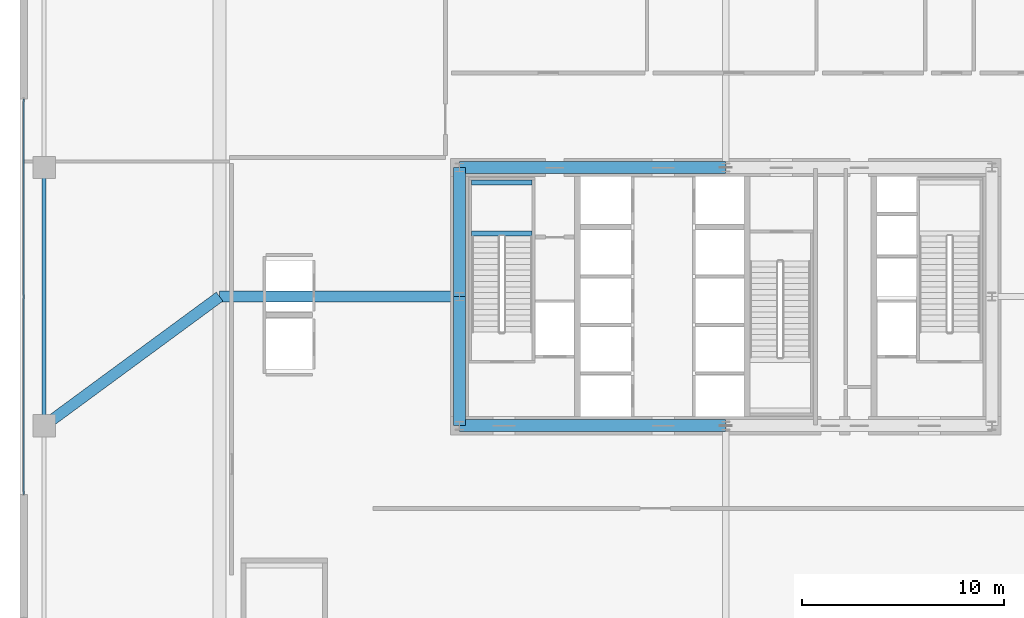
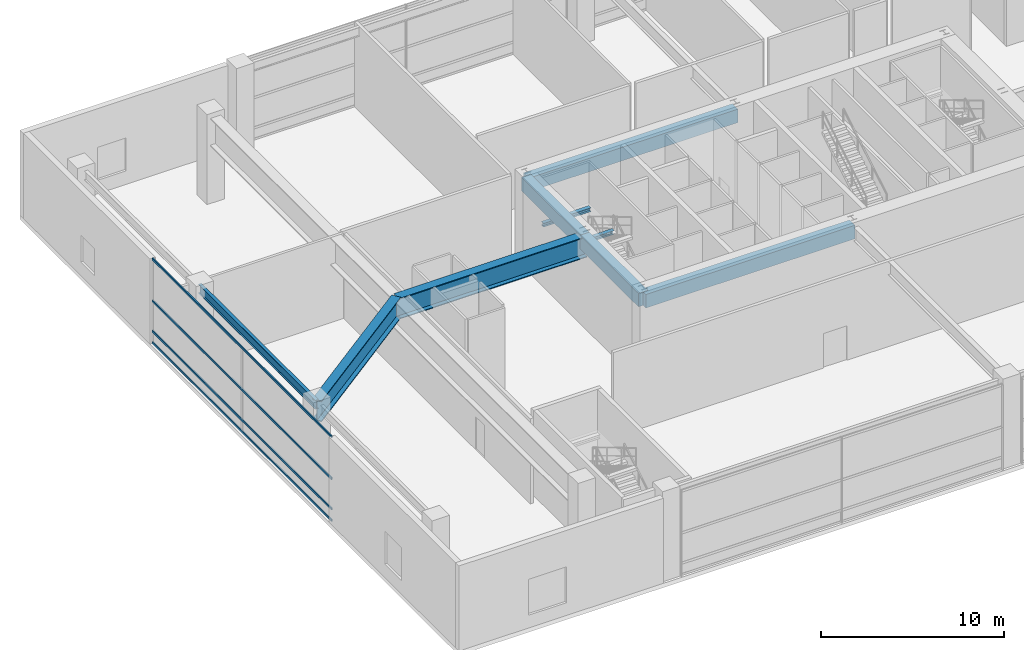
# One storey, part 10 of 39: 9 beams, 4 members, 1 element without a shape of its own.
"""IFC4 building model written with IfcOpenShell, lengths in metres."""

from ifc_helpers import new_model, si_unit, direction, frame, origin, origin_2d, place, context, subcontext, project, spatial, rectangle, hollow_rectangle, i_section, extrude, source, transform, mapped, material, layer, layer_set, material_profile, profile_set, type_object, element, aggregate, save


model = new_model("IFC4")

# Units and contexts
model_context = context("Model", 3, precision=1e-05, world=origin(), true_north=direction((0.0, 1.0)))
body_context = subcontext(model_context, "Body", "Model", "MODEL_VIEW")
ifc_project = project(units=[si_unit("LENGTHUNIT", "METRE"), si_unit("AREAUNIT", "SQUARE_METRE"), si_unit("VOLUMEUNIT", "CUBIC_METRE"), si_unit("PLANEANGLEUNIT", "RADIAN"), si_unit("MASSUNIT", "GRAM", prefix="KILO"), si_unit("THERMODYNAMICTEMPERATUREUNIT", "KELVIN"), si_unit("POWERUNIT", "WATT")], contexts=[model_context])

# Site, building, storey
site_placement = place(None, origin())
site = spatial("IfcSite", under=ifc_project, at=site_placement, CompositionType="ELEMENT")
building_placement = place(site_placement, origin())
building = spatial("IfcBuilding", under=site, at=building_placement, Name="Yuzanri Waterfront Tower", CompositionType="ELEMENT")
storey_placement = place(building_placement, frame((0.0, 0.0, 19.800048828125)))
storey = spatial("IfcBuildingStorey", under=building, at=storey_placement, Name="L05", CompositionType="ELEMENT", Elevation=19.800048828125)

# Beams
ifc_material_1 = material(Name="Concrete C60", Category="concrete")
ifc_material_profile_1 = material_profile(ifc_material_1, rectangle(XDim=0.60009765625, YDim=0.89990234375, at=origin_2d()), Name="RC 600x900")
ifc_profile_set_1 = profile_set([ifc_material_profile_1], Name="Concrete C60")
beam_type_1 = type_object("IfcBeamType", Name="Core Coupling Lintel Concrete C60 600x900", PredefinedType="LINTEL", material=ifc_profile_set_1)
shared_shape_1 = source(origin(), body_context, "Body", "SweptSolid", [
    extrude(rectangle(XDim=0.60009765625, YDim=0.89990234375, at=origin_2d()), origin(), (0.0, 0.0, 1.0), 13.199951171875),
])
for number, where, z_axis, x_axis, name in (
    (1, (23.800048828125, 19.39990234375, 5.22998046875), (1.0, 0.0, 0.0), (0.0, 1.0, 0.0), "L05 Core Tie Beam CS1"),
    (2, (23.800048828125, 32.199951171875, 5.22998046875), (1.0, 0.0, 0.0), (0.0, 1.0, 0.0), "L05 Core Tie Beam CN1"),
):
    element("IfcBeam", number, at=place(storey_placement, frame(where, z_axis=z_axis, x_axis=x_axis)), inside=storey, type_object=beam_type_1, Name=name, PredefinedType="LINTEL", context=body_context, shape_type="MappedRepresentation", body=[
        mapped(shared_shape_1, transform((0.0, 0.0, 0.0), scale=1.0)),
    ])
shared_shape_2 = source(origin(), body_context, "Body", "SweptSolid", [
    extrude(rectangle(XDim=0.60009765625, YDim=0.89990234375, at=origin_2d()), origin(), (0.0, 0.0, 1.0), 6.400146484375),
])
beam_1_placement = place(storey_placement, frame((23.800048828125, 19.39990234375, 5.22998046875), z_axis=(0.0, 1.0, 0.0), x_axis=(-1.0, 0.0, 0.0)))
element("IfcBeam", 3, at=beam_1_placement, inside=storey, type_object=beam_type_1, Name="L05 Core Tie Beam CW1", PredefinedType="LINTEL", context=body_context, shape_type="MappedRepresentation", body=[
    mapped(shared_shape_2, transform((0.0, 0.0, 0.0), scale=1.0)),
])
shared_shape_3 = source(origin(), body_context, "Body", "SweptSolid", [
    extrude(rectangle(XDim=0.60009765625, YDim=0.89990234375, at=origin_2d()), origin(), (0.0, 0.0, 1.0), 6.39990234375),
])
beam_2_placement = place(storey_placement, frame((23.800048828125, 25.800048828125, 5.22998046875), z_axis=(0.0, 1.0, 0.0), x_axis=(-1.0, 0.0, 0.0)))
element("IfcBeam", 4, at=beam_2_placement, inside=storey, type_object=beam_type_1, Name="L05 Core Tie Beam CW2", PredefinedType="LINTEL", context=body_context, shape_type="MappedRepresentation", body=[
    mapped(shared_shape_3, transform((0.0, 0.0, 0.0), scale=1.0)),
])
ifc_material_2 = material(Name="Steel Q355B", Category="steel")
ifc_material_profile_2 = material_profile(ifc_material_2, i_section(OverallWidth=0.199951171875, OverallDepth=0.60009765625, WebThickness=0.010986328125, FlangeThickness=0.01708984375, at=origin_2d()), Name="HN 600x200x11x17")
ifc_profile_set_2 = profile_set([ifc_material_profile_2], Name="Steel Q355B")
beam_type_2 = type_object("IfcBeamType", Name="Perimeter Spandrel Q355B HN 600x200", PredefinedType="SPANDREL", material=ifc_profile_set_2)
shared_shape_4 = source(origin(), body_context, "Body", "SweptSolid", [
    extrude(i_section(OverallWidth=0.199951171875, OverallDepth=0.60009765625, WebThickness=0.010986328125, FlangeThickness=0.01708984375, at=origin_2d()), origin(), (0.0, 0.0, 1.0), 12.800048828125),
])
beam_3_placement = place(storey_placement, frame((3.199951171875, 19.39990234375, 5.3798828125), z_axis=(0.0, 1.0, 0.0), x_axis=(-1.0, 0.0, 0.0)))
element("IfcBeam", 5, at=beam_3_placement, inside=storey, type_object=beam_type_2, Name="L05 West Podium Spandrel 2", PredefinedType="SPANDREL", context=body_context, shape_type="MappedRepresentation", body=[
    mapped(shared_shape_4, transform((0.0, 0.0, 0.0), scale=1.0)),
])
ifc_material_3 = material(Name="Steel Q420GJC", Category="steel")
ifc_material_profile_3 = material_profile(ifc_material_3, i_section(OverallWidth=0.550048828125, OverallDepth=1.39990234375, WebThickness=0.030029296875, FlangeThickness=0.054931640625, at=origin_2d()), Name="PG 1400x550x30x55")
ifc_profile_set_3 = profile_set([ifc_material_profile_3], Name="Steel Q420GJC")
beam_type_3 = type_object("IfcBeamType", Name="Tower Base Transfer Girder Q420GJC PG 1400x550", PredefinedType="USERDEFINED", material=ifc_profile_set_3)
shared_shape_5 = source(origin(), body_context, "Body", "SweptSolid", [
    extrude(i_section(OverallWidth=0.550048828125, OverallDepth=1.39990234375, WebThickness=0.030029296875, FlangeThickness=0.054931640625, at=origin_2d()), origin(), (0.0, 0.0, 1.0), 10.800537109375),
])
beam_4_placement = place(storey_placement, frame((3.199951171875, 19.39990234375, 4.97998046875), z_axis=(0.805512964712, 0.592578149851, 0.0), x_axis=(-0.592578149851, 0.805512964712, 0.0)))
element("IfcBeam", 6, at=beam_4_placement, inside=storey, type_object=beam_type_3, Name="L05 Ballroom West Transfer Girder 1", ObjectType="GIRDER", PredefinedType="USERDEFINED", context=body_context, shape_type="MappedRepresentation", body=[
    mapped(shared_shape_5, transform((0.0, 0.0, 0.0), scale=1.0)),
])
shared_shape_6 = source(origin(), body_context, "Body", "SweptSolid", [
    extrude(i_section(OverallWidth=0.550048828125, OverallDepth=1.39990234375, WebThickness=0.030029296875, FlangeThickness=0.054931640625, at=origin_2d()), origin(), (0.0, 0.0, 1.0), 11.900146484375),
])
beam_5_placement = place(storey_placement, frame((11.89990234375, 25.800048828125, 4.97998046875), z_axis=(1.0, 0.0, 0.0), x_axis=(0.0, 1.0, 0.0)))
element("IfcBeam", 7, at=beam_5_placement, inside=storey, type_object=beam_type_3, Name="L05 Ballroom East Transfer Girder 2", ObjectType="GIRDER", PredefinedType="USERDEFINED", context=body_context, shape_type="MappedRepresentation", body=[
    mapped(shared_shape_6, transform((0.0, 0.0, 0.0), scale=1.0)),
])

# Curtain wall, members
ifc_material_4 = material(Name="Anodized Architectural Bronze", Category="metal")
ifc_layer = layer(ifc_material_4, 0.159912109375)
ifc_layer_set = layer_set([ifc_layer], Name="Anodized Architectural Bronze")
curtain_wall_type = type_object("IfcCurtainWallType", Name="Anodized Bronze Podium Waterfront Double-Height Unitized Curtain Wall 8400", PredefinedType="NOTDEFINED", material=ifc_layer_set)
curtain_wall_placement = place(storey_placement, origin())
curtain_wall = element("IfcCurtainWall", 8, at=curtain_wall_placement, inside=storey, type_object=curtain_wall_type, Name="L05 Curtain Wall CW-L05-W", PredefinedType="NOTDEFINED")
ifc_material_5 = material(Name="Anodized Architectural Bronze", Category="metal")
ifc_material_profile_4 = material_profile(ifc_material_5, hollow_rectangle(XDim=0.074951171875, YDim=0.14990234375, WallThickness=0.00390625, at=origin_2d()), Name="CWT 75x150")
ifc_profile_set_4 = profile_set([ifc_material_profile_4], Name="Anodized Architectural Bronze")
member_type = type_object("IfcMemberType", Name="Anodized Bronze Primary Curtain-Wall Transom 75x150", PredefinedType="USERDEFINED", material=ifc_profile_set_4)
shared_shape_7 = source(origin(), body_context, "Body", "SweptSolid", [
    extrude(hollow_rectangle(XDim=0.074951171875, YDim=0.14990234375, WallThickness=0.00390625, at=origin_2d()), origin(), (0.0, 0.0, 1.0), 19.60009765625),
])
member_1_placement = place(storey_placement, frame((2.179931640625, 16.0, 0.050048828125), z_axis=(0.0, 1.0, 0.0), x_axis=(-1.0, 0.0, 0.0)))
member_1 = element("IfcMember", 9, at=member_1_placement, type_object=member_type, Name="CW-L05-W Transom 1", ObjectType="TRANSOM", PredefinedType="USERDEFINED", context=body_context, shape_type="MappedRepresentation", body=[
    mapped(shared_shape_7, transform((0.0, 0.0, 0.0), scale=1.0)),
])
member_2_placement = place(storey_placement, frame((2.179931640625, 16.0, 0.820068359375), z_axis=(0.0, 1.0, 0.0), x_axis=(-1.0, 0.0, 0.0)))
member_2 = element("IfcMember", 10, at=member_2_placement, type_object=member_type, Name="CW-L05-W Transom 2", ObjectType="TRANSOM", PredefinedType="USERDEFINED", context=body_context, shape_type="MappedRepresentation", body=[
    mapped(shared_shape_7, transform((0.0, 0.0, 0.0), scale=1.0)),
])
member_3_placement = place(storey_placement, frame((2.179931640625, 16.0, 2.83984375), z_axis=(0.0, 1.0, 0.0), x_axis=(-1.0, 0.0, 0.0)))
member_3 = element("IfcMember", 11, at=member_3_placement, type_object=member_type, Name="CW-L05-W Transom 3", ObjectType="TRANSOM", PredefinedType="USERDEFINED", context=body_context, shape_type="MappedRepresentation", body=[
    mapped(shared_shape_7, transform((0.0, 0.0, 0.0), scale=1.0)),
])
member_4_placement = place(storey_placement, frame((2.179931640625, 16.0, 5.6298828125), z_axis=(0.0, 1.0, 0.0), x_axis=(-1.0, 0.0, 0.0)))
member_4 = element("IfcMember", 12, at=member_4_placement, type_object=member_type, Name="CW-L05-W Transom 4", ObjectType="TRANSOM", PredefinedType="USERDEFINED", context=body_context, shape_type="MappedRepresentation", body=[
    mapped(shared_shape_7, transform((0.0, 0.0, 0.0), scale=1.0)),
])
aggregate(curtain_wall, [member_1, member_2, member_3, member_4])

# Beams
ifc_material_6 = material(Name="Steel Q355B", Category="steel")
ifc_material_profile_5 = material_profile(ifc_material_6, i_section(OverallWidth=0.25, OverallDepth=0.25, WebThickness=0.009033203125, FlangeThickness=0.013916015625, at=origin_2d()), Name="HW 250x250x9x14")
ifc_profile_set_5 = profile_set([ifc_material_profile_5], Name="Steel Q355B")
beam_type_4 = type_object("IfcBeamType", Name="Stair Landing Support Beam Q355B HW 250x250", PredefinedType="BEAM", material=ifc_profile_set_5)
shared_shape_8 = source(origin(), body_context, "Body", "SweptSolid", [
    extrude(i_section(OverallWidth=0.25, OverallDepth=0.25, WebThickness=0.009033203125, FlangeThickness=0.013916015625, at=origin_2d()), origin(), (0.0, 0.0, 1.0), 3.0),
])
for number, where, z_axis, x_axis, name in (
    (13, (24.39990234375, 28.929931640625, 2.675048828125), (1.0, 0.0, 0.0), (0.0, 1.0, 0.0), "L05 Stair Landing Support Beam ST-01-L05-L1-1"),
    (14, (24.39990234375, 31.449951171875, 2.675048828125), (1.0, 0.0, 0.0), (0.0, 1.0, 0.0), "L05 Stair Landing Support Beam ST-01-L05-L1-2"),
):
    element("IfcBeam", number, at=place(storey_placement, frame(where, z_axis=z_axis, x_axis=x_axis)), inside=storey, type_object=beam_type_4, Name=name, PredefinedType="BEAM", context=body_context, shape_type="MappedRepresentation", body=[
        mapped(shared_shape_8, transform((0.0, 0.0, 0.0), scale=1.0)),
    ])

save(model, "model.ifc")
